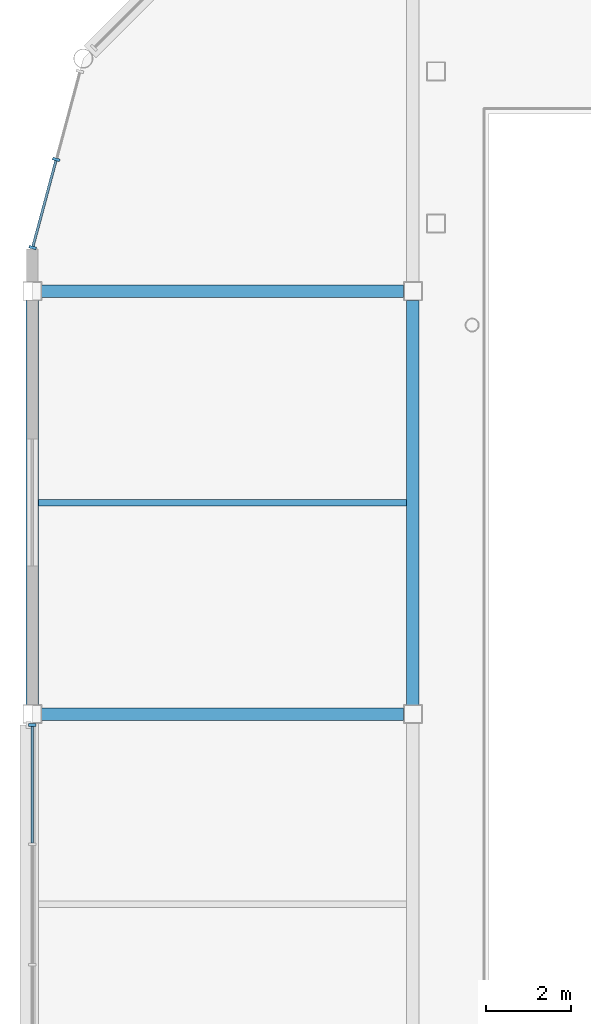
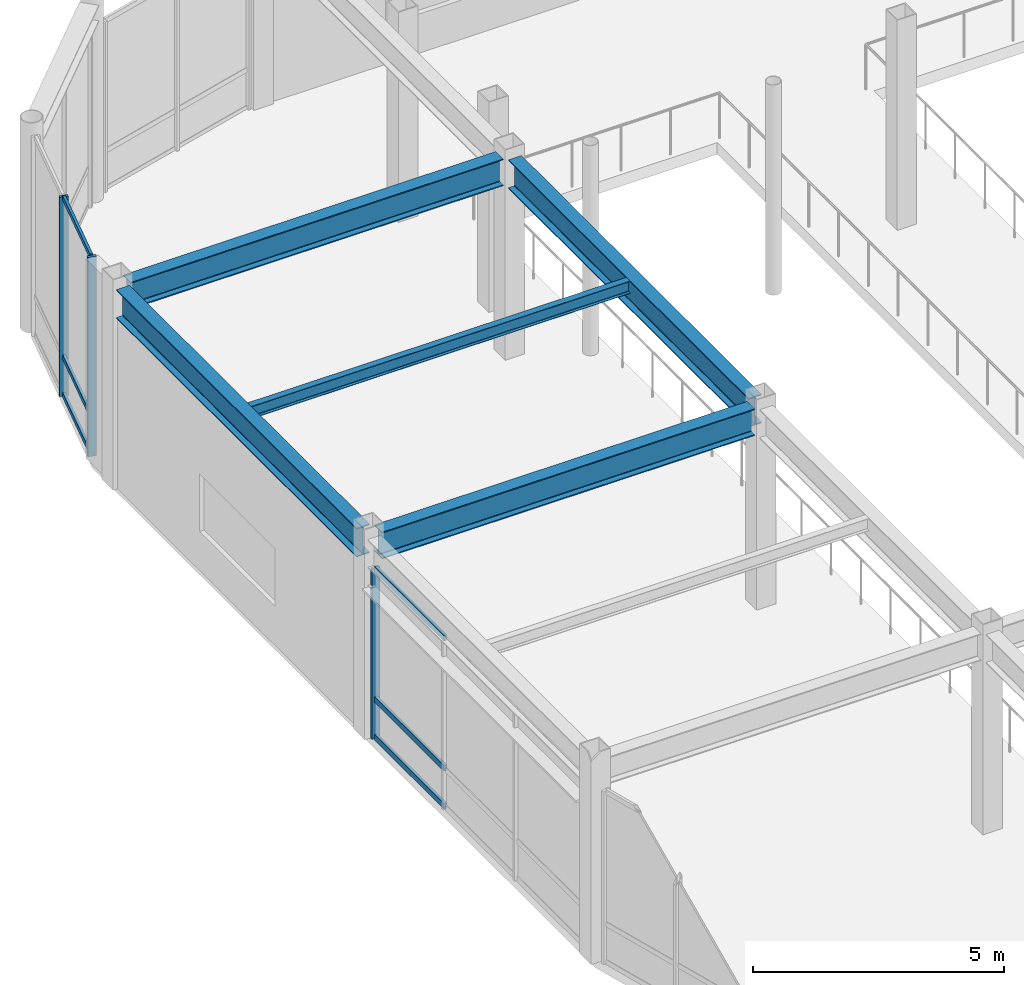
# One storey, part 42 of 123: 9 members, 5 beams, 2 elements without a shape of their own.
"""IFC4 building model written with IfcOpenShell, lengths in metres."""

from ifc_helpers import new_model, si_unit, direction, frame, origin, origin_2d, place, context, subcontext, project, spatial, rectangle, i_section, extrude, material, material_profile, profile_set, type_object, element, aggregate, save


model = new_model("IFC4")

# Units and contexts
model_context = context("Model", 3, precision=1e-05, world=origin(), true_north=direction((0.0, 1.0)))
body_context = subcontext(model_context, "Body", "Model", "MODEL_VIEW")
ifc_project = project(units=[si_unit("LENGTHUNIT", "METRE"), si_unit("AREAUNIT", "SQUARE_METRE"), si_unit("VOLUMEUNIT", "CUBIC_METRE"), si_unit("PLANEANGLEUNIT", "RADIAN"), si_unit("MASSUNIT", "GRAM", prefix="KILO")], contexts=[model_context])

# Site, building, storey
site_placement = place(None, origin())
site = spatial("IfcSite", under=ifc_project, at=site_placement, CompositionType="ELEMENT")
building_placement = place(site_placement, origin())
building = spatial("IfcBuilding", under=site, at=building_placement, Name="Suzunagisa Mobility Hub", CompositionType="ELEMENT")
storey_placement = place(building_placement, origin())
storey = spatial("IfcBuildingStorey", under=building, at=storey_placement, Name="L00", CompositionType="ELEMENT", Elevation=0.0)

# Curtain wall, members
ifc_material_1 = material(Name="Thermally Broken Anodized Aluminum and Low-E Glazing", Category="aluminium")
curtain_wall_type_1 = type_object("IfcCurtainWallType", Name="Unitised Curtain Wall CW-09 8500x4100", PredefinedType="USERDEFINED", material=ifc_material_1)
curtain_wall_1_placement = place(storey_placement, origin())
curtain_wall_1 = element("IfcCurtainWall", 1, at=curtain_wall_1_placement, inside=storey, type_object=curtain_wall_type_1, Name="L00 Unitised Curtain Wall CW-51", ObjectType="UNITISED CURTAIN WALL", PredefinedType="USERDEFINED")
ifc_material_2 = material(Name="Anodized Aluminum 6063-T6", Category="aluminium")
ifc_material_profile_1 = material_profile(ifc_material_2, rectangle(XDim=0.06494140625, YDim=0.139892578125, at=origin_2d()), Name="TRAN-65x140")
ifc_profile_set_1 = profile_set([ifc_material_profile_1], Name="Anodized Aluminum 6063-T6")
member_type_1 = type_object("IfcMemberType", Name="Curtain Wall Framing CM-01 TRAN-65x140", PredefinedType="USERDEFINED", material=ifc_profile_set_1)
member_1_placement = place(storey_placement, frame((0.0, 97.7119140625, 0.032470703125), z_axis=(0.0, -1.0, 0.0), x_axis=(1.0, 0.0, 0.0)))
member_1 = element("IfcMember", 2, at=member_1_placement, type_object=member_type_1, Name="Curtain Wall Transom 51-T1.1", ObjectType="TRANSOM", PredefinedType="USERDEFINED", context=body_context, shape_type="SweptSolid", body=[
    extrude(rectangle(XDim=0.06494140625, YDim=0.139892578125, at=origin_2d()), origin(), (0.0, 0.0, 1.0), 2.75634765625),
])
member_2_placement = place(storey_placement, frame((0.0, 97.7119140625, 0.949951171875), z_axis=(0.0, -1.0, 0.0), x_axis=(1.0, 0.0, 0.0)))
member_2 = element("IfcMember", 3, at=member_2_placement, type_object=member_type_1, Name="Curtain Wall Transom 51-T1.2", ObjectType="TRANSOM", PredefinedType="USERDEFINED", context=body_context, shape_type="SweptSolid", body=[
    extrude(rectangle(XDim=0.06494140625, YDim=0.139892578125, at=origin_2d()), origin(), (0.0, 0.0, 1.0), 2.75634765625),
])
member_3_placement = place(storey_placement, frame((0.0, 97.7119140625, 4.107421875), z_axis=(0.0, -1.0, 0.0), x_axis=(1.0, 0.0, 0.0)))
member_3 = element("IfcMember", 4, at=member_3_placement, type_object=member_type_1, Name="Curtain Wall Transom 51-T1.3", ObjectType="TRANSOM", PredefinedType="USERDEFINED", context=body_context, shape_type="SweptSolid", body=[
    extrude(rectangle(XDim=0.06494140625, YDim=0.139892578125, at=origin_2d()), origin(), (0.0, 0.0, 1.0), 2.75634765625),
])

curtain_wall_type_2 = type_object("IfcCurtainWallType", Name="Unitised Curtain Wall CW-08 4500x4800", PredefinedType="USERDEFINED", material=ifc_material_1)
curtain_wall_2_placement = place(storey_placement, origin())
curtain_wall_2 = element("IfcCurtainWall", 5, at=curtain_wall_2_placement, inside=storey, type_object=curtain_wall_type_2, Name="L00 Unitised Curtain Wall CW-50", ObjectType="UNITISED CURTAIN WALL", PredefinedType="USERDEFINED")
ifc_material_profile_2 = material_profile(ifc_material_2, rectangle(XDim=0.06005859375, YDim=0.1201171875, at=origin_2d()), Name="TRAN-60x120")
ifc_profile_set_2 = profile_set([ifc_material_profile_2], Name="Anodized Aluminum 6063-T6")
member_type_2 = type_object("IfcMemberType", Name="Curtain Wall Framing CM-02 TRAN-60x120", PredefinedType="USERDEFINED", material=ifc_profile_set_2)
member_4_placement = place(storey_placement, frame((0.55859375, 111.085205078125, 0.030029296875), z_axis=(-0.258728321405, -0.965950131064, 0.0), x_axis=(0.965950131064, -0.258728321405, 0.0)))
member_4 = element("IfcMember", 6, at=member_4_placement, type_object=member_type_2, Name="Curtain Wall Transom 50-T2.1", ObjectType="TRANSOM", PredefinedType="USERDEFINED", context=body_context, shape_type="SweptSolid", body=[
    extrude(rectangle(XDim=0.06005859375, YDim=0.1201171875, at=origin_2d()), origin(), (0.0, 0.0, 1.0), 2.095703125),
])
member_5_placement = place(storey_placement, frame((0.55859375, 111.085205078125, 0.949951171875), z_axis=(-0.258728321405, -0.965950131064, 0.0), x_axis=(0.965950131064, -0.258728321405, 0.0)))
member_5 = element("IfcMember", 7, at=member_5_placement, type_object=member_type_2, Name="Curtain Wall Transom 50-T2.2", ObjectType="TRANSOM", PredefinedType="USERDEFINED", context=body_context, shape_type="SweptSolid", body=[
    extrude(rectangle(XDim=0.06005859375, YDim=0.1201171875, at=origin_2d()), origin(), (0.0, 0.0, 1.0), 2.095703125),
])
member_6_placement = place(storey_placement, frame((0.55859375, 111.085205078125, 4.81005859375), z_axis=(-0.258728321405, -0.965950131064, 0.0), x_axis=(0.965950131064, -0.258728321405, 0.0)))
member_6 = element("IfcMember", 8, at=member_6_placement, type_object=member_type_2, Name="Curtain Wall Transom 50-T2.3", ObjectType="TRANSOM", PredefinedType="USERDEFINED", context=body_context, shape_type="SweptSolid", body=[
    extrude(rectangle(XDim=0.06005859375, YDim=0.1201171875, at=origin_2d()), origin(), (0.0, 0.0, 1.0), 2.095703125),
])
ifc_material_profile_3 = material_profile(ifc_material_2, rectangle(XDim=0.06494140625, YDim=0.179931640625, at=origin_2d()), Name="MULL-65x180")
ifc_profile_set_3 = profile_set([ifc_material_profile_3], Name="Anodized Aluminum 6063-T6")
member_type_3 = type_object("IfcMemberType", Name="Curtain Wall Framing CM-04 MULL-65x180", PredefinedType="MULLION", material=ifc_profile_set_3)
member_7_placement = place(storey_placement, frame((0.566650390625, 111.11474609375, 0.0), z_axis=(0.0, 0.0, 1.0), x_axis=(-0.258815230137, -0.965926848498, 0.0)))
member_7 = element("IfcMember", 9, at=member_7_placement, type_object=member_type_3, Name="Curtain Wall Mullion 50-M2", PredefinedType="MULLION", context=body_context, shape_type="SweptSolid", body=[
    extrude(rectangle(XDim=0.06494140625, YDim=0.179931640625, at=origin_2d()), origin(), (0.0, 0.0, 1.0), 4.840087890625),
])
member_8_placement = place(storey_placement, frame((0.00830078125, 109.031494140625, 0.0), z_axis=(0.0, 0.0, 1.0), x_axis=(-0.258815230137, -0.965926848498, 0.0)))
member_8 = element("IfcMember", 10, at=member_8_placement, type_object=member_type_3, Name="Curtain Wall Mullion 50-M3", PredefinedType="MULLION", context=body_context, shape_type="SweptSolid", body=[
    extrude(rectangle(XDim=0.06494140625, YDim=0.179931640625, at=origin_2d()), origin(), (0.0, 0.0, 1.0), 4.840087890625),
])
aggregate(curtain_wall_2, [member_7, member_8, member_4, member_5, member_6])

# Member
member_9_placement = place(storey_placement, frame((0.0, 97.742431640625, 0.0), z_axis=(0.0, 0.0, 1.0), x_axis=(0.0, -1.0, 0.0)))
member_9 = element("IfcMember", 11, at=member_9_placement, type_object=member_type_3, Name="Curtain Wall Mullion 51-M1", PredefinedType="MULLION", context=body_context, shape_type="SweptSolid", body=[
    extrude(rectangle(XDim=0.06494140625, YDim=0.179931640625, at=origin_2d()), origin(), (0.0, 0.0, 1.0), 4.139892578125),
])

aggregate(curtain_wall_1, [member_9, member_1, member_2, member_3])

# Beams
ifc_material_3 = material(Name="Steel SN490B", Category="steel")
ifc_material_profile_4 = material_profile(ifc_material_3, i_section(OverallWidth=0.300048828125, OverallDepth=0.64990234375, WebThickness=0.012939453125, FlangeThickness=0.02197265625, FilletRadius=0.01611328125, at=origin_2d()), Name="H-650x300x13x22")
ifc_profile_set_4 = profile_set([ifc_material_profile_4], Name="Steel SN490B")
beam_type_1 = type_object("IfcBeamType", Name="Steel Beam BM-10 H-650x300x13x22", PredefinedType="BEAM", material=ifc_profile_set_4)
for number, where, z_axis, x_axis, name in (
    (12, (0.220947265625, 98.0, 4.514892578125), (1.0, 0.0, 0.0), (0.0, 1.0, 0.0), "L00 Primary Girder GX-457"),
    (13, (0.220947265625, 108.0, 4.514892578125), (1.0, 0.0, 0.0), (0.0, 1.0, 0.0), "L00 Primary Girder GX-459"),
):
    element("IfcBeam", number, at=place(storey_placement, frame(where, z_axis=z_axis, x_axis=x_axis)), inside=storey, type_object=beam_type_1, Name=name, PredefinedType="BEAM", context=body_context, shape_type="SweptSolid", body=[
        extrude(i_section(OverallWidth=0.300048828125, OverallDepth=0.64990234375, WebThickness=0.012939453125, FlangeThickness=0.02197265625, FilletRadius=0.01611328125, at=origin_2d()), origin(), (0.0, 0.0, 1.0), 8.55810546875),
    ])
ifc_material_profile_5 = material_profile(ifc_material_3, i_section(OverallWidth=0.300048828125, OverallDepth=0.699951171875, WebThickness=0.012939453125, FlangeThickness=0.02392578125, FilletRadius=0.01806640625, at=origin_2d()), Name="H-700x300x13x24")
ifc_profile_set_5 = profile_set([ifc_material_profile_5], Name="Steel SN490B")
beam_type_2 = type_object("IfcBeamType", Name="Steel Beam BM-11 H-700x300x13x24", PredefinedType="BEAM", material=ifc_profile_set_5)
for number, where, z_axis, x_axis, name in (
    (14, (0.0, 98.220947265625, 4.489990234375), (0.0, 1.0, 0.0), (-1.0, 0.0, 0.0), "L00 Primary Girder GY-465"),
    (15, (9.0, 98.220947265625, 4.489990234375), (0.0, 1.0, 0.0), (-1.0, 0.0, 0.0), "L00 Primary Girder GY-468"),
):
    element("IfcBeam", number, at=place(storey_placement, frame(where, z_axis=z_axis, x_axis=x_axis)), inside=storey, type_object=beam_type_2, Name=name, PredefinedType="BEAM", context=body_context, shape_type="SweptSolid", body=[
        extrude(i_section(OverallWidth=0.300048828125, OverallDepth=0.699951171875, WebThickness=0.012939453125, FlangeThickness=0.02392578125, FilletRadius=0.01806640625, at=origin_2d()), origin(), (0.0, 0.0, 1.0), 9.55810546875),
    ])
ifc_material_4 = material(Name="Steel SN400B", Category="steel")
ifc_material_profile_6 = material_profile(ifc_material_4, i_section(OverallWidth=0.14990234375, OverallDepth=0.300048828125, WebThickness=0.006591796875, FlangeThickness=0.009033203125, FilletRadius=0.008056640625, at=origin_2d()), Name="H-300x150x6.5x9")
ifc_profile_set_6 = profile_set([ifc_material_profile_6], Name="Steel SN400B")
beam_type_3 = type_object("IfcBeamType", Name="Steel Beam BM-24 H-300x150x6.5x9", PredefinedType="JOIST", material=ifc_profile_set_6)
beam_placement = place(storey_placement, frame((0.14990234375, 103.0, 4.68994140625), z_axis=(1.0, 0.0, 0.0), x_axis=(0.0, 1.0, 0.0)))
element("IfcBeam", 16, at=beam_placement, inside=storey, type_object=beam_type_3, Name="L00 Composite Floor Joist J-482", PredefinedType="JOIST", context=body_context, shape_type="SweptSolid", body=[
    extrude(i_section(OverallWidth=0.14990234375, OverallDepth=0.300048828125, WebThickness=0.006591796875, FlangeThickness=0.009033203125, FilletRadius=0.008056640625, at=origin_2d()), origin(), (0.0, 0.0, 1.0), 8.7001953125),
])

save(model, "model.ifc")
